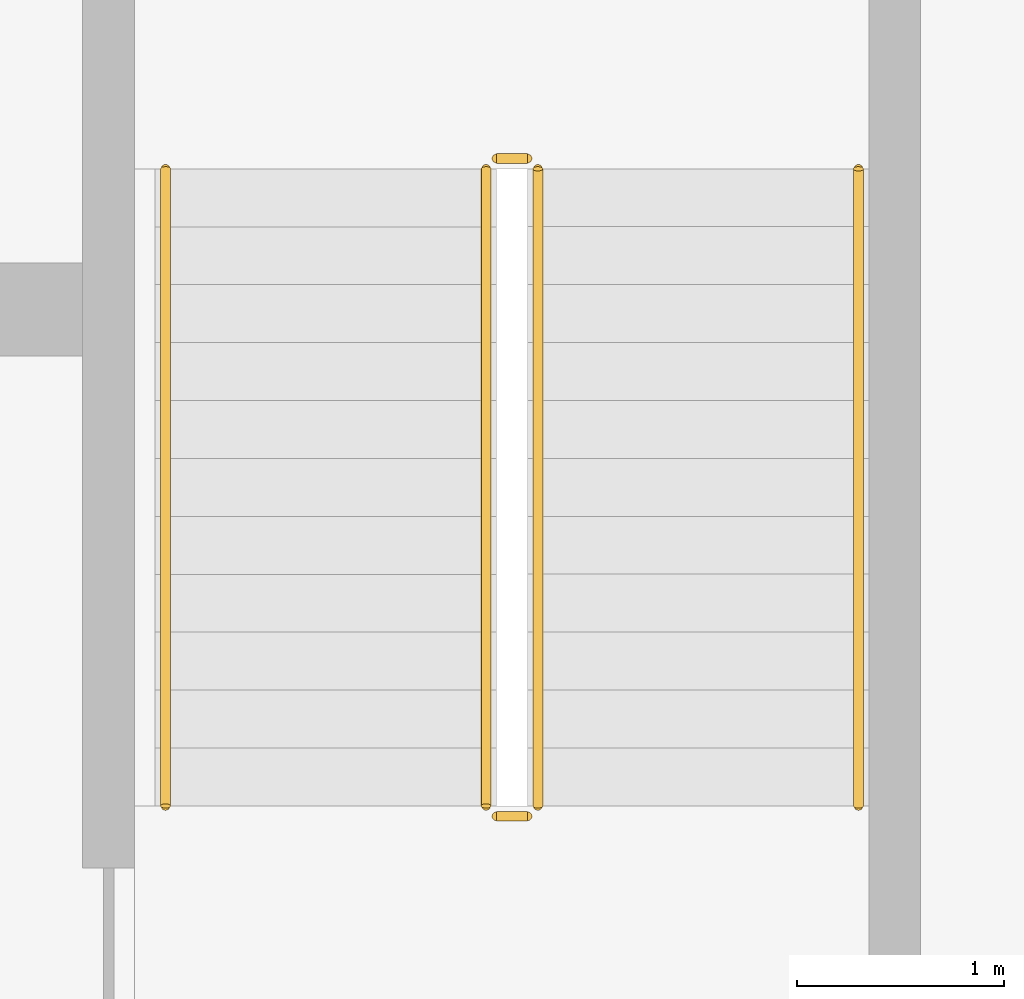
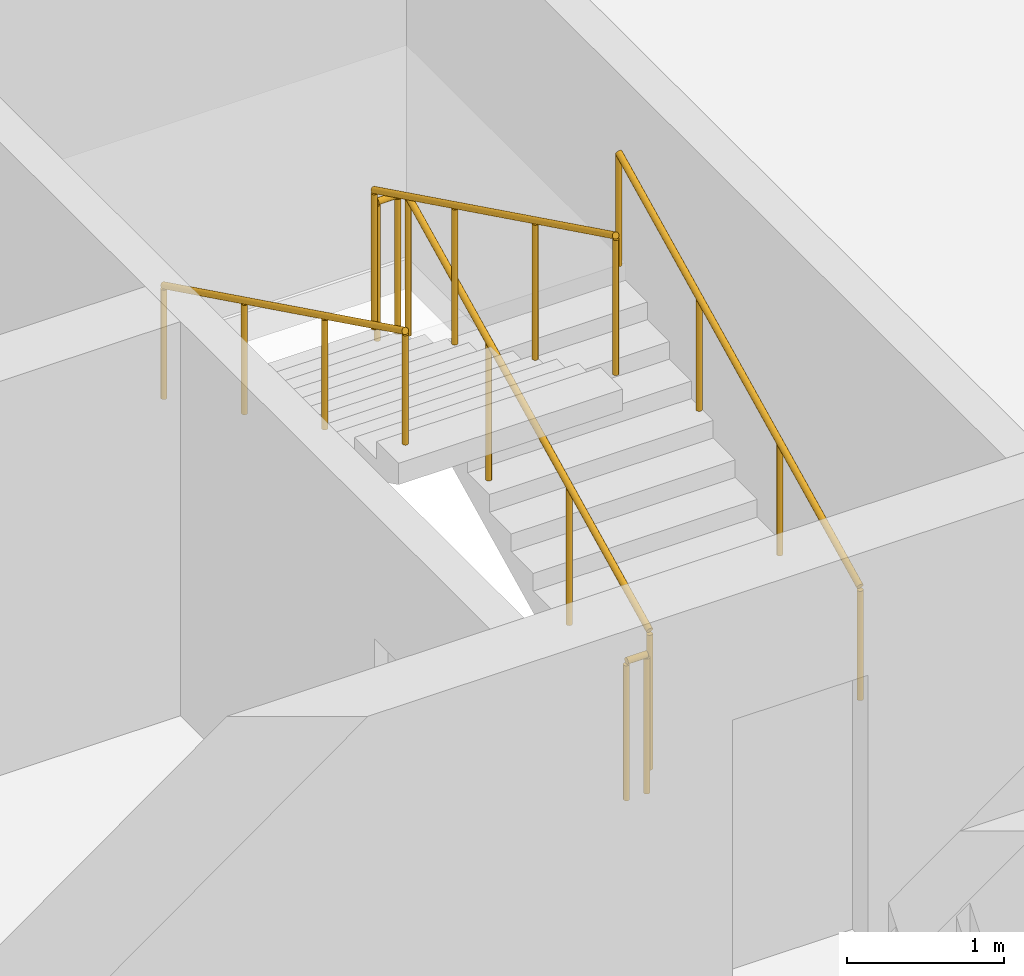
# One storey, part 16 of 32: 6 railings.
"""IFC4 building model written with IfcOpenShell, lengths in metres."""

import ifcopenshell
import ifcopenshell.guid

model = None  # the IFC model being written
_history = None  # IfcOwnerHistory: only IFC2X3 demands one
_inside = {}  # id of a spatial element -> (the spatial element, [elements in it])
_under = {}  # id of a project, library or spatial element -> (it, [spatial elements below it])
_declared = {}  # id of a project -> (the project, [libraries it declares])
_typed = {}  # id of a type object -> (the type object, [elements of that type])
_made_of = {}  # id of a material, layer set ... -> (it, [elements and type objects made of it])


def new_model(schema):
    """Start an empty IFC model of exactly this schema.

    Asked for "IFC4X3", IfcOpenShell would pick the latest addendum, in which some entities
    have other attributes; the version numbers below select the first issue.
    IFC2X3 requires an IfcOwnerHistory on every rooted entity: one is made here for all.
    """
    global model, _history
    if schema == "IFC4X3":
        model = ifcopenshell.file(schema_version=(4, 3, 0, 0))
    else:
        model = ifcopenshell.file(schema=schema)
    _inside.clear()
    _under.clear()
    _declared.clear()
    _typed.clear()
    _made_of.clear()
    _history = None
    if model.schema == "IFC2X3":
        org = make("IfcOrganization", Name="unknown")
        user = make(
            "IfcPersonAndOrganization",
            ThePerson=make("IfcPerson", FamilyName="unknown"),
            TheOrganization=org,
        )
        app = make(
            "IfcApplication",
            ApplicationDeveloper=org,
            Version="unknown",
            ApplicationFullName="unknown",
            ApplicationIdentifier="unknown",
        )
        _history = make(
            "IfcOwnerHistory",
            OwningUser=user,
            OwningApplication=app,
            ChangeAction="ADDED",
            CreationDate=0,
        )
    return model


def make(cls, **values):
    """One entity of the class cls with the attributes given. An attribute that is None is left unset."""
    return model.create_entity(
        cls, **{name: value for name, value in values.items() if value is not None}
    )


def rooted(cls, **values):
    """An entity with a GlobalId (a new one), such as an element, a storey or a relation."""
    return make(cls, GlobalId=ifcopenshell.guid.new(), OwnerHistory=_history, **values)


def si_unit(unit_type, name, prefix=None):
    """IfcSIUnit, for example si_unit("LENGTHUNIT", "METRE", prefix="MILLI")."""
    return make("IfcSIUnit", UnitType=unit_type, Prefix=prefix, Name=name)


def assignment(units):
    """IfcUnitAssignment: the units of a project."""
    return None if units is None else make("IfcUnitAssignment", Units=units)


def point(xyz):
    """IfcCartesianPoint."""
    return None if xyz is None else make("IfcCartesianPoint", Coordinates=xyz)


def direction(xyz):
    """IfcDirection."""
    return None if xyz is None else make("IfcDirection", DirectionRatios=xyz)


def frame(location, z_axis=None, x_axis=None):
    """IfcAxis2Placement3D, a coordinate frame: its origin and axes. An axis left out is left unset."""
    return make(
        "IfcAxis2Placement3D",
        Location=point(location),
        Axis=direction(z_axis),
        RefDirection=direction(x_axis),
    )


def frame_2d(location, x_axis=None):
    """IfcAxis2Placement2D, a coordinate frame in the plane: its origin and x axis."""
    return make(
        "IfcAxis2Placement2D", Location=point(location), RefDirection=direction(x_axis)
    )


def origin():
    """The frame at (0, 0, 0) with its axes left unset."""
    return frame((0.0, 0.0, 0.0))


def origin_2d():
    """The frame at (0, 0) in the plane with its x axis left unset."""
    return frame_2d((0.0, 0.0))


def place(relative_to, where):
    """IfcLocalPlacement: puts the frame where relative to a parent placement (None: the world)."""
    return make(
        "IfcLocalPlacement", PlacementRelTo=relative_to, RelativePlacement=where
    )


def context(
    kind, dimensions, precision=None, world=None, true_north=None, identifier=None
):
    """IfcGeometricRepresentationContext, for example the 3D "Model" context."""
    return make(
        "IfcGeometricRepresentationContext",
        ContextIdentifier=identifier,
        ContextType=kind,
        CoordinateSpaceDimension=dimensions,
        Precision=precision,
        WorldCoordinateSystem=world,
        TrueNorth=true_north,
    )


def subcontext(parent, identifier, kind, view, scale=None):
    """IfcGeometricRepresentationSubContext, for example "Body" below "Model"."""
    return make(
        "IfcGeometricRepresentationSubContext",
        ContextIdentifier=identifier,
        ContextType=kind,
        ParentContext=parent,
        TargetScale=scale,
        TargetView=view,
    )


def project(units=None, contexts=None):
    """IfcProject with its units and contexts."""
    return rooted(
        "IfcProject",
        Name="project",
        RepresentationContexts=contexts,
        UnitsInContext=assignment(units),
    )


def spatial(cls, under=None, at=None, **own):
    """A site, building, storey or space (cls), placed at a placement, below another one or the project."""
    s = rooted(cls, ObjectPlacement=at, **own)
    if under is not None:
        _under.setdefault(under.id(), (under, []))[1].append(s)
    return s


def profile(cls, at=None, kind="AREA", **sizes):
    """A parametric profile (cls). Its sizes go by their IFC names, for example OverallWidth=200.0."""
    return make(cls, ProfileType=kind, Position=at, **sizes)


def circle(**sizes):
    """IfcCircleProfileDef."""
    return profile("IfcCircleProfileDef", **sizes)


def extrude(swept, where, along, depth):
    """IfcExtrudedAreaSolid: the profile swept, set in the frame where, extruded along a direction by depth."""
    return make(
        "IfcExtrudedAreaSolid",
        SweptArea=swept,
        Position=where,
        ExtrudedDirection=direction(along),
        Depth=depth,
    )


def shape(context_of_items, identifier, shape_type, items):
    """IfcShapeRepresentation: the items that make up one representation, for example the "Body"."""
    return make(
        "IfcShapeRepresentation",
        ContextOfItems=context_of_items,
        RepresentationIdentifier=identifier,
        RepresentationType=shape_type,
        Items=items,
    )


def material(Name=None, Category=None):
    """IfcMaterial."""
    return make("IfcMaterial", Name=Name, Category=Category)


def made_of(thing, what):
    """Note that an element or type object is made of a material, layer set ...; save() writes the relation."""
    if what is not None:
        _made_of.setdefault(what.id(), (what, []))[1].append(thing)
    return thing


def type_object(cls, material=None, **own):
    """A type object (cls), such as IfcWallType, which elements share."""
    return made_of(rooted(cls, **own), material)


def element(
    cls,
    number,
    at=None,
    inside=None,
    cuts=None,
    type_object=None,
    material=None,
    context=None,
    identifier="Body",
    shape_type=None,
    held_by="IfcProductDefinitionShape",
    body=None,
    shapes=None,
    **own,
):
    """One element of the class cls, such as IfcWall. Its Tag is "e" and its number.

    at: its placement. inside: the storey or other place that contains it. cuts: it is an
    opening in that element (IfcRelVoidsElement). A single representation is given by context,
    identifier, shape_type and body (its items); several are given by shapes. held_by: the class
    of the entity that holds the representations. save() writes the other relations.
    """
    e = rooted(cls, Tag="e%d" % number, ObjectPlacement=at, **own)
    if body is not None:
        shapes = [shape(context, identifier, shape_type, body)]
    if shapes is not None:
        e.Representation = make(held_by, Representations=shapes)
    if inside is not None:
        _inside.setdefault(inside.id(), (inside, []))[1].append(e)
    if cuts is not None:
        rooted(
            "IfcRelVoidsElement", RelatingBuildingElement=cuts, RelatedOpeningElement=e
        )
    if type_object is not None:
        _typed.setdefault(type_object.id(), (type_object, []))[1].append(e)
    return made_of(e, material)


def aggregate(whole, parts):
    """IfcRelAggregates: a whole, such as a stair, and the parts it consists of."""
    return rooted("IfcRelAggregates", RelatingObject=whole, RelatedObjects=parts)


def save(model, path):
    """Write the relations noted so far, then the file.

    IfcRelAggregates (storeys below a building ...), IfcRelContainedInSpatialStructure (elements
    in a storey), IfcRelDefinesByType, IfcRelAssociatesMaterial and IfcRelDeclares: one each for
    every whole, place, type object, material and project.
    """
    for whole, parts in _under.values():
        aggregate(whole, parts)
    for where, things in _inside.values():
        rooted(
            "IfcRelContainedInSpatialStructure",
            RelatedElements=things,
            RelatingStructure=where,
        )
    for kind, things in _typed.values():
        rooted("IfcRelDefinesByType", RelatedObjects=things, RelatingType=kind)
    for what, things in _made_of.values():
        rooted("IfcRelAssociatesMaterial", RelatedObjects=things, RelatingMaterial=what)
    for by, libraries in _declared.values():
        rooted("IfcRelDeclares", RelatingContext=by, RelatedDefinitions=libraries)
    model.write(path)


model = new_model("IFC4")

# Units and contexts
model_context = context("Model", 3, precision=1e-05, world=origin(), true_north=direction((0.0, 1.0)))
body_context = subcontext(model_context, "Body", "Model", "MODEL_VIEW")
ifc_project = project(units=[si_unit("LENGTHUNIT", "METRE"), si_unit("AREAUNIT", "SQUARE_METRE"), si_unit("VOLUMEUNIT", "CUBIC_METRE"), si_unit("PLANEANGLEUNIT", "RADIAN"), si_unit("MASSUNIT", "GRAM", prefix="KILO")], contexts=[model_context])

# Site, building, storey
site_placement = place(None, origin())
site = spatial("IfcSite", under=ifc_project, at=site_placement, CompositionType="ELEMENT")
building_placement = place(site_placement, origin())
building = spatial("IfcBuilding", under=site, at=building_placement, Name="Poui Terraces", CompositionType="ELEMENT")
storey_placement = place(building_placement, frame((0.0, 0.0, 152.10009765625)))
storey = spatial("IfcBuildingStorey", under=building, at=storey_placement, Name="L42", CompositionType="ELEMENT", Elevation=152.10009765625)

# Railings
ifc_material_1 = material(Name="Galvanised steel balustrade", Category="steel")
railing_type_1 = type_object("IfcRailingType", Name="STAIR GUARD 1100", PredefinedType="GUARDRAIL", material=ifc_material_1)
railing_1_placement = place(storey_placement, frame((70.27490234375, 16.60009765625, 0.137451171875)))
element("IfcRailing", 1, at=railing_1_placement, inside=storey, type_object=railing_type_1, Name="L42 ST-CE stair guard 1", PredefinedType="GUARDRAIL", context=body_context, shape_type="SweptSolid", body=[
    extrude(circle(Radius=0.02392578125, at=origin_2d()), frame((0.0, 0.0, 1.076171875), z_axis=(0.0, 0.897606190399, 0.440798283751), x_axis=(-1.0, 0.0, 0.0)), (0.0, 0.0, 1.0), 3.43115234375),
    extrude(circle(Radius=0.02099609375, at=origin_2d()), origin(), (0.0, 0.0, 1.0), 1.052001953125),
    extrude(circle(Radius=0.02099609375, at=origin_2d()), frame((0.0, 1.026611328125, 0.504150390625)), (0.0, 0.0, 1.0), 1.052001953125),
    extrude(circle(Radius=0.02099609375, at=origin_2d()), frame((0.0, 2.05322265625, 1.00830078125)), (0.0, 0.0, 1.0), 1.052001953125),
    extrude(circle(Radius=0.02099609375, at=origin_2d()), frame((0.0, 3.079833984375, 1.512451171875)), (0.0, 0.0, 1.0), 1.052001953125),
])
railing_2_placement = place(storey_placement, frame((70.22509765625, 19.72998046875, 1.64990234375)))
element("IfcRailing", 2, at=railing_2_placement, inside=storey, type_object=railing_type_1, Name="L42 ST-CE stair guard 2", PredefinedType="GUARDRAIL", context=body_context, shape_type="SweptSolid", body=[
    extrude(circle(Radius=0.02392578125, at=origin_2d()), frame((0.0, 0.0, 1.076171875), z_axis=(-1.0, 0.0, 0.0), x_axis=(0.0, -1.0, 0.0)), (0.0, 0.0, 1.0), 0.150146484375),
    extrude(circle(Radius=0.02099609375, at=origin_2d()), origin(), (0.0, 0.0, 1.0), 1.052001953125),
    extrude(circle(Radius=0.02099609375, at=origin_2d()), frame((-0.150146484375, 0.0, 0.0)), (0.0, 0.0, 1.0), 1.052001953125),
])
railing_3_placement = place(storey_placement, frame((70.02490234375, 19.679931640625, 1.787353515625)))
element("IfcRailing", 3, at=railing_3_placement, inside=storey, type_object=railing_type_1, Name="L42 ST-CE stair guard 3", PredefinedType="GUARDRAIL", context=body_context, shape_type="SweptSolid", body=[
    extrude(circle(Radius=0.02392578125, at=origin_2d()), frame((0.0, 0.0, 1.076171875), z_axis=(0.0, -0.897606190399, 0.440798283751), x_axis=(1.0, 0.0, 0.0)), (0.0, 0.0, 1.0), 3.43115234375),
    extrude(circle(Radius=0.02099609375, at=origin_2d()), origin(), (0.0, 0.0, 1.0), 1.052001953125),
    extrude(circle(Radius=0.02099609375, at=origin_2d()), frame((0.0, -1.026611328125, 0.504150390625)), (0.0, 0.0, 1.0), 1.052001953125),
    extrude(circle(Radius=0.02099609375, at=origin_2d()), frame((0.0, -2.05322265625, 1.00830078125)), (0.0, 0.0, 1.0), 1.052001953125),
    extrude(circle(Radius=0.02099609375, at=origin_2d()), frame((0.0, -3.079833984375, 1.512451171875)), (0.0, 0.0, 1.0), 1.052001953125),
])
railing_4_placement = place(storey_placement, frame((70.22509765625, 16.550048828125, 0.0)))
element("IfcRailing", 4, at=railing_4_placement, inside=storey, type_object=railing_type_1, Name="L42 ST-CE stair guard 4", PredefinedType="GUARDRAIL", context=body_context, shape_type="SweptSolid", body=[
    extrude(circle(Radius=0.02392578125, at=origin_2d()), frame((0.0, 0.0, 1.076171875), z_axis=(-1.0, 0.0, 0.0), x_axis=(0.0, -1.0, 0.0)), (0.0, 0.0, 1.0), 0.150146484375),
    extrude(circle(Radius=0.02099609375, at=origin_2d()), origin(), (0.0, 0.0, 1.0), 1.052001953125),
    extrude(circle(Radius=0.02099609375, at=origin_2d()), frame((-0.150146484375, 0.0, 0.0)), (0.0, 0.0, 1.0), 1.052001953125),
])
ifc_material_2 = material(Name="Stainless steel handrail", Category="steel")
railing_type_2 = type_object("IfcRailingType", Name="STAIR HANDRAIL 900", PredefinedType="HANDRAIL", material=ifc_material_2)
railing_5_placement = place(storey_placement, frame((71.824951171875, 16.60009765625, 0.137451171875)))
element("IfcRailing", 5, at=railing_5_placement, inside=storey, type_object=railing_type_2, Name="L42 ST-CE stair handrail 1", PredefinedType="HANDRAIL", context=body_context, shape_type="SweptSolid", body=[
    extrude(circle(Radius=0.02392578125, at=origin_2d()), frame((0.0, 0.0, 0.8759765625), z_axis=(0.0, 0.897606190399, 0.440798283751), x_axis=(-1.0, 0.0, 0.0)), (0.0, 0.0, 1.0), 3.43115234375),
    extrude(circle(Radius=0.02099609375, at=origin_2d()), origin(), (0.0, 0.0, 1.0), 0.851806640625),
    extrude(circle(Radius=0.02099609375, at=origin_2d()), frame((0.0, 1.026611328125, 0.504150390625)), (0.0, 0.0, 1.0), 0.851806640625),
    extrude(circle(Radius=0.02099609375, at=origin_2d()), frame((0.0, 2.05322265625, 1.00830078125)), (0.0, 0.0, 1.0), 0.851806640625),
    extrude(circle(Radius=0.02099609375, at=origin_2d()), frame((0.0, 3.079833984375, 1.512451171875)), (0.0, 0.0, 1.0), 0.851806640625),
])
railing_6_placement = place(storey_placement, frame((68.47509765625, 19.679931640625, 1.787353515625)))
element("IfcRailing", 6, at=railing_6_placement, inside=storey, type_object=railing_type_2, Name="L42 ST-CE stair handrail 2", PredefinedType="HANDRAIL", context=body_context, shape_type="SweptSolid", body=[
    extrude(circle(Radius=0.02392578125, at=origin_2d()), frame((0.0, 0.0, 0.8759765625), z_axis=(0.0, -0.897606190399, 0.440798283751), x_axis=(1.0, 0.0, 0.0)), (0.0, 0.0, 1.0), 3.43115234375),
    extrude(circle(Radius=0.02099609375, at=origin_2d()), origin(), (0.0, 0.0, 1.0), 0.851806640625),
    extrude(circle(Radius=0.02099609375, at=origin_2d()), frame((0.0, -1.026611328125, 0.504150390625)), (0.0, 0.0, 1.0), 0.851806640625),
    extrude(circle(Radius=0.02099609375, at=origin_2d()), frame((0.0, -2.05322265625, 1.00830078125)), (0.0, 0.0, 1.0), 0.851806640625),
    extrude(circle(Radius=0.02099609375, at=origin_2d()), frame((0.0, -3.079833984375, 1.512451171875)), (0.0, 0.0, 1.0), 0.851806640625),
])

save(model, "model.ifc")
